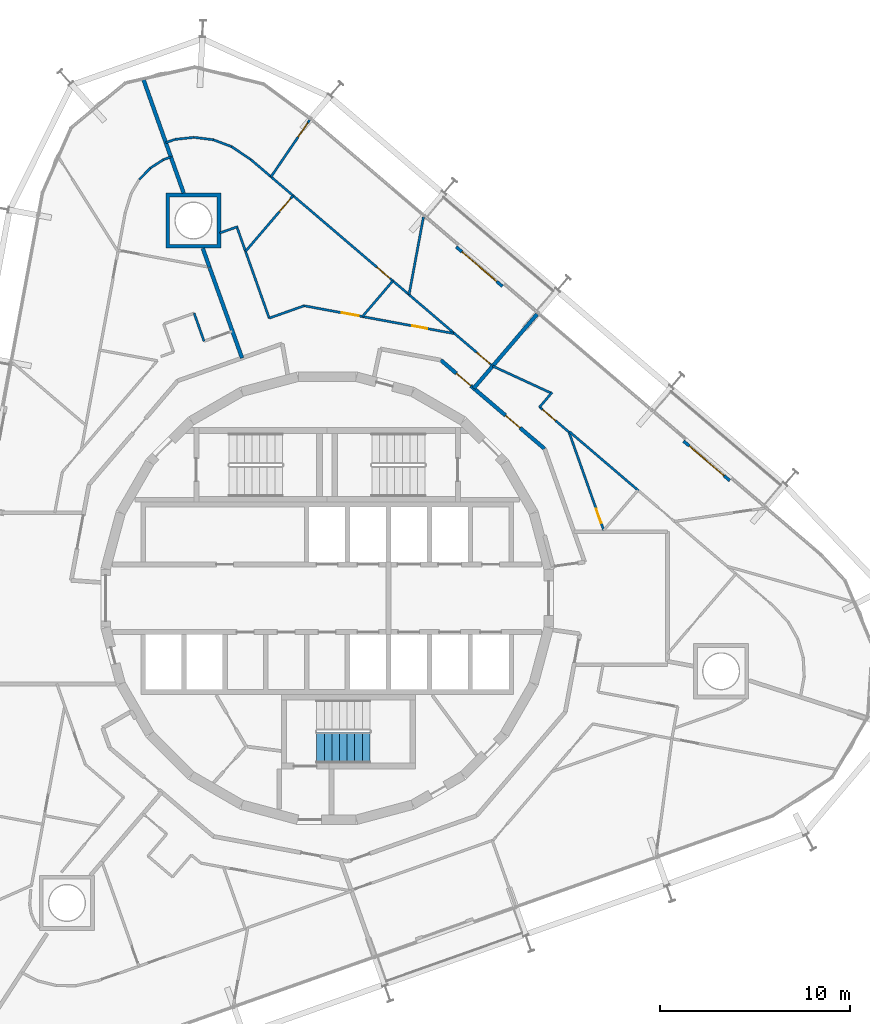
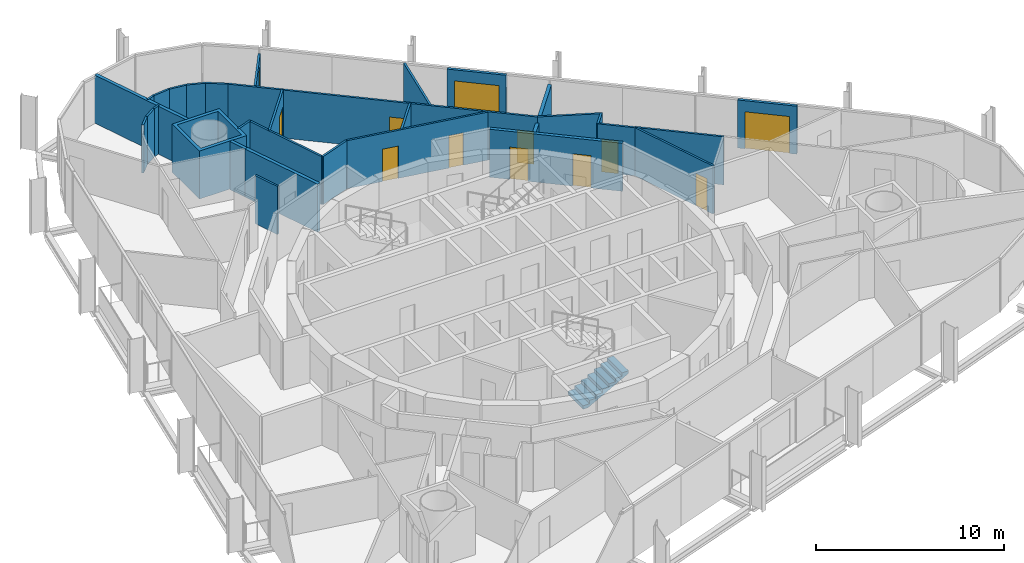
# One storey, part 15 of 17: 32 walls, 12 doors, 1 stair flight, 12 openings, 1 element without a shape of its own.
"""IFC4 building model written with IfcOpenShell, lengths in metres."""

from ifc_helpers import new_model, si_unit, direction, frame, frame_2d, origin, place, context, subcontext, project, spatial, polyline, rectangle, outline, extrude, material, layer, layer_set, type_object, element, fill, aggregate, save


model = new_model("IFC4")

# Units and contexts
model_context = context("Model", 3, precision=1e-05, world=origin(), true_north=direction((0.0, 1.0)))
body_context = subcontext(model_context, "Body", "Model", "MODEL_VIEW")
ifc_project = project(units=[si_unit("LENGTHUNIT", "METRE"), si_unit("AREAUNIT", "SQUARE_METRE"), si_unit("VOLUMEUNIT", "CUBIC_METRE"), si_unit("PLANEANGLEUNIT", "RADIAN"), si_unit("MASSUNIT", "GRAM", prefix="KILO")], contexts=[model_context])

# Site, building, storey
site_placement = place(None, origin())
site = spatial("IfcSite", under=ifc_project, at=site_placement, CompositionType="ELEMENT")
building_placement = place(site_placement, origin())
building = spatial("IfcBuilding", under=site, at=building_placement, Name="Spindle Arch Residences", CompositionType="ELEMENT")
storey_placement = place(building_placement, frame((0.0, 0.0, 155.199951171875)))
storey = spatial("IfcBuildingStorey", under=building, at=storey_placement, Name="L38", CompositionType="ELEMENT", Elevation=155.199951171875)

# Wall, openings, doors
ifc_material_1 = material(Name="Calcium silicate block, plastered")
ifc_layer_1 = layer(ifc_material_1, 0.199951171875)
ifc_layer_set_1 = layer_set([ifc_layer_1], Name="Corridor wall 200")
wall_type_1 = type_object("IfcWallType", Name="Corridor wall 200", PredefinedType="STANDARD", material=ifc_layer_set_1)
wall_1_placement = place(storey_placement, frame((11.432861328125, 7.857666015625, 0.0), z_axis=(0.0, 0.0, 1.0), x_axis=(-0.760412154545, 0.649440801937, 0.0)))
wall_1 = element("IfcWall", 1, at=wall_1_placement, inside=storey, type_object=wall_type_1, Name="Corridor wall R4A1-W004", PredefinedType="STANDARD", context=body_context, shape_type="SweptSolid", body=[
    extrude(rectangle(XDim=7.180908203125, YDim=0.199951171875, at=frame_2d((3.59033203125, 0.0))), origin(), (0.0, 0.0, 1.0), 3.1201171875),
])
opening_1_placement = place(wall_1_placement, frame((1.699951171875, 0.0, 0.0)))
opening_1 = element("IfcOpeningElement", 2, at=opening_1_placement, cuts=wall_1, Name="Opening R4A1-FD01", PredefinedType="OPENING", context=body_context, shape_type="SweptSolid", body=[
    extrude(rectangle(XDim=1.0, YDim=2.10009765625, at=frame_2d((0.5, 1.050048828125))), frame((0.0, 0.10986328125, 0.0), z_axis=(0.0, -1.0, 0.0), x_axis=(1.0, 0.0, 0.0)), (0.0, 0.0, 1.0), 0.219970703125),
])
opening_2_placement = place(wall_1_placement, frame((5.1005859375, 0.0, 0.0)))
opening_2 = element("IfcOpeningElement", 3, at=opening_2_placement, cuts=wall_1, Name="Opening R4A1-FD02", PredefinedType="OPENING", context=body_context, shape_type="SweptSolid", body=[
    extrude(rectangle(XDim=1.0, YDim=2.10009765625, at=frame_2d((0.5, 1.050048828125))), frame((0.0, 0.10986328125, 0.0), z_axis=(0.0, -1.0, 0.0), x_axis=(1.0, 0.0, 0.0)), (0.0, 0.0, 1.0), 0.219970703125),
])
ifc_material_2 = material(Name="Timber, fire-resisting door set", Category="wood")
door_type_1 = type_object("IfcDoorType", Name="Flat entrance door 1000x2100", OperationType="NOTDEFINED", PredefinedType="DOOR", material=ifc_material_2)
door_1_placement = place(opening_1_placement, origin())
door_1 = element("IfcDoor", 4, at=door_1_placement, inside=storey, type_object=door_type_1, Name="Flat entrance door R4A1-FD01", OperationType="SINGLE_SWING_LEFT", OverallHeight=2.10009765625, OverallWidth=1.0, PredefinedType="DOOR", context=body_context, shape_type="SweptSolid", body=[
    extrude(rectangle(XDim=1.0, YDim=2.10009765625, at=frame_2d((0.5, 1.050048828125))), frame((0.0, 0.02490234375, 0.0), z_axis=(0.0, -1.0, 0.0), x_axis=(1.0, 0.0, 0.0)), (0.0, 0.0, 1.0), 0.050048828125),
])
fill(opening_1, door_1)
door_2_placement = place(opening_2_placement, origin())
door_2 = element("IfcDoor", 5, at=door_2_placement, inside=storey, type_object=door_type_1, Name="Flat entrance door R4A1-FD02", OperationType="SINGLE_SWING_RIGHT", OverallHeight=2.10009765625, OverallWidth=1.0, PredefinedType="DOOR", context=body_context, shape_type="SweptSolid", body=[
    extrude(rectangle(XDim=1.0, YDim=2.10009765625, at=frame_2d((0.5, 1.050048828125))), frame((0.0, 0.02490234375, 0.0), z_axis=(0.0, -1.0, 0.0), x_axis=(1.0, 0.0, 0.0)), (0.0, 0.0, 1.0), 0.050048828125),
])
fill(opening_2, door_2)

# Wall, opening, door
ifc_material_3 = material(Name="Plasterboard on steel studs", Category="steel")
ifc_layer_2 = layer(ifc_material_3, 0.1201171875)
ifc_layer_set_2 = layer_set([ifc_layer_2], Name="Flat partition 120")
wall_type_2 = type_object("IfcWallType", Name="Flat partition 120", PredefinedType="PARTITIONING", material=ifc_layer_set_2)
wall_2_placement = place(storey_placement, frame((14.540771484375, 3.57470703125, 0.0), z_axis=(0.0, 0.0, 1.0), x_axis=(-0.333799280318, 0.942644174893, 0.0)))
wall_2 = element("IfcWall", 6, at=wall_2_placement, inside=storey, type_object=wall_type_2, Name="Flat partition R4A1-W039", PredefinedType="PARTITIONING", context=body_context, shape_type="SweptSolid", body=[
    extrude(rectangle(XDim=5.476806640625, YDim=0.1201171875, at=frame_2d((2.73828125, 0.0))), origin(), (0.0, 0.0, 1.0), 3.1201171875),
])
opening_3_placement = place(wall_2_placement, frame((0.39990234375, 0.0, 0.0)))
opening_3 = element("IfcOpeningElement", 7, at=opening_3_placement, cuts=wall_2, Name="Opening R4A1-BD01", PredefinedType="OPENING", context=body_context, shape_type="SweptSolid", body=[
    extrude(rectangle(XDim=0.800048828125, YDim=2.10009765625, at=frame_2d((0.39990234375, 1.050048828125))), frame((0.0, 0.070068359375, 0.0), z_axis=(0.0, -1.0, 0.0), x_axis=(1.0, 0.0, 0.0)), (0.0, 0.0, 1.0), 0.14013671875),
])
ifc_material_4 = material(Name="Timber door set", Category="wood")
door_type_2 = type_object("IfcDoorType", Name="Bathroom door 800x2100", OperationType="NOTDEFINED", PredefinedType="DOOR", material=ifc_material_4)
door_3_placement = place(opening_3_placement, origin())
door_3 = element("IfcDoor", 8, at=door_3_placement, inside=storey, type_object=door_type_2, Name="Bathroom door R4A1-BD01", OperationType="SINGLE_SWING_LEFT", OverallHeight=2.10009765625, OverallWidth=0.800048828125, PredefinedType="DOOR", context=body_context, shape_type="SweptSolid", body=[
    extrude(rectangle(XDim=0.800048828125, YDim=2.10009765625, at=frame_2d((0.39990234375, 1.050048828125))), frame((0.0, 0.02490234375, 0.0), z_axis=(0.0, -1.0, 0.0), x_axis=(1.0, 0.0, 0.0)), (0.0, 0.0, 1.0), 0.050048828125),
])
fill(opening_3, door_3)

wall_3_placement = place(storey_placement, frame((12.712646484375, 8.7373046875, 0.0), z_axis=(0.0, 0.0, 1.0), x_axis=(-0.760410825807, 0.649442357716, 0.0)))
wall_3 = element("IfcWall", 9, at=wall_3_placement, inside=storey, type_object=wall_type_2, Name="Flat partition R4A1-W040", PredefinedType="PARTITIONING", context=body_context, shape_type="SweptSolid", body=[
    extrude(rectangle(XDim=2.028564453125, YDim=0.1201171875, at=frame_2d((1.01416015625, 0.0))), origin(), (0.0, 0.0, 1.0), 3.1201171875),
])
opening_4_placement = place(wall_3_placement, frame((0.9287109375, 0.0, 0.0)))
opening_4 = element("IfcOpeningElement", 10, at=opening_4_placement, cuts=wall_3, Name="Opening R4A1-ID01", PredefinedType="OPENING", context=body_context, shape_type="SweptSolid", body=[
    extrude(rectangle(XDim=0.89990234375, YDim=2.10009765625, at=frame_2d((0.449951171875, 1.050048828125))), frame((0.0, 0.070068359375, 0.0), z_axis=(0.0, -1.0, 0.0), x_axis=(1.0, 0.0, 0.0)), (0.0, 0.0, 1.0), 0.14013671875),
])
ifc_material_5 = material(Name="Timber door set", Category="wood")
door_type_3 = type_object("IfcDoorType", Name="Room door 900x2100", OperationType="NOTDEFINED", PredefinedType="DOOR", material=ifc_material_5)
door_4_placement = place(opening_4_placement, origin())
door_4 = element("IfcDoor", 11, at=door_4_placement, inside=storey, type_object=door_type_3, Name="Room door R4A1-ID01", OperationType="SINGLE_SWING_LEFT", OverallHeight=2.10009765625, OverallWidth=0.89990234375, PredefinedType="DOOR", context=body_context, shape_type="SweptSolid", body=[
    extrude(rectangle(XDim=0.89990234375, YDim=2.10009765625, at=frame_2d((0.449951171875, 1.050048828125))), frame((0.0, 0.02490234375, 0.0), z_axis=(0.0, -1.0, 0.0), x_axis=(1.0, 0.0, 0.0)), (0.0, 0.0, 1.0), 0.050048828125),
])
fill(opening_4, door_4)

# Walls
wall_4_placement = place(storey_placement, frame((12.734130859375, 8.76220703125, 0.0), z_axis=(0.0, 0.0, 1.0), x_axis=(0.760390484255, -0.649466174219, 0.0)))
element("IfcWall", 12, at=wall_4_placement, inside=storey, type_object=wall_type_2, Name="Flat partition R4A1-W041", PredefinedType="PARTITIONING", context=body_context, shape_type="SweptSolid", body=[
    extrude(rectangle(XDim=4.78271484375, YDim=0.1201171875, at=frame_2d((2.391357421875, 0.0))), origin(), (0.0, 0.0, 1.0), 3.1201171875),
])
wall_5_placement = place(storey_placement, frame((11.152587890625, 10.0341796875, 0.0), z_axis=(0.0, 0.0, 1.0), x_axis=(0.649381401329, 0.760462882466, 0.0)))
element("IfcWall", 13, at=wall_5_placement, inside=storey, type_object=wall_type_2, Name="Flat partition R4A1-W042", PredefinedType="PARTITIONING", context=body_context, shape_type="SweptSolid", body=[
    extrude(rectangle(XDim=1.041748046875, YDim=0.1201171875, at=frame_2d((0.52099609375, 0.0))), origin(), (0.0, 0.0, 1.0), 3.1201171875),
])
wall_6_placement = place(storey_placement, frame((11.790283203125, 10.78076171875, 0.0), z_axis=(0.0, 0.0, 1.0), x_axis=(-0.907999296286, 0.418971691101, 0.0)))
element("IfcWall", 14, at=wall_6_placement, inside=storey, type_object=wall_type_2, Name="Flat partition R4A1-W043", PredefinedType="PARTITIONING", context=body_context, shape_type="SweptSolid", body=[
    extrude(rectangle(XDim=3.4013671875, YDim=0.1201171875, at=frame_2d((1.70068359375, 0.0))), origin(), (0.0, 0.0, 1.0), 3.1201171875),
])

# Wall, openings, doors
wall_7_placement = place(storey_placement, frame((8.701904296875, 12.205810546875, 0.0), z_axis=(0.0, 0.0, 1.0), x_axis=(-0.760401313718, 0.649453494945, 0.0)))
wall_7 = element("IfcWall", 15, at=wall_7_placement, inside=storey, type_object=wall_type_2, Name="Flat partition R4A1-W054", PredefinedType="PARTITIONING", context=body_context, shape_type="SweptSolid", body=[
    extrude(rectangle(XDim=16.723876953125, YDim=0.1201171875, at=frame_2d((8.36181640625, 0.0))), origin(), (0.0, 0.0, 1.0), 3.1201171875),
])
opening_5_placement = place(wall_7_placement, frame((0.199951171875, 0.0, 0.0)))
opening_5 = element("IfcOpeningElement", 16, at=opening_5_placement, cuts=wall_7, Name="Opening R4A1-ID06", PredefinedType="OPENING", context=body_context, shape_type="SweptSolid", body=[
    extrude(rectangle(XDim=0.89990234375, YDim=2.10009765625, at=frame_2d((0.449951171875, 1.050048828125))), frame((0.0, 0.070068359375, 0.0), z_axis=(0.0, -1.0, 0.0), x_axis=(1.0, 0.0, 0.0)), (0.0, 0.0, 1.0), 0.14013671875),
])
opening_6_placement = place(wall_7_placement, frame((7.09912109375, 0.0, 0.0)))
opening_6 = element("IfcOpeningElement", 17, at=opening_6_placement, cuts=wall_7, Name="Opening R4A1-ID08", PredefinedType="OPENING", context=body_context, shape_type="SweptSolid", body=[
    extrude(rectangle(XDim=0.89990234375, YDim=2.10009765625, at=frame_2d((0.449951171875, 1.050048828125))), frame((0.0, 0.070068359375, 0.0), z_axis=(0.0, -1.0, 0.0), x_axis=(1.0, 0.0, 0.0)), (0.0, 0.0, 1.0), 0.14013671875),
])
door_5_placement = place(opening_5_placement, origin())
door_5 = element("IfcDoor", 18, at=door_5_placement, inside=storey, type_object=door_type_3, Name="Room door R4A1-ID06", OperationType="SINGLE_SWING_RIGHT", OverallHeight=2.10009765625, OverallWidth=0.89990234375, PredefinedType="DOOR", context=body_context, shape_type="SweptSolid", body=[
    extrude(rectangle(XDim=0.89990234375, YDim=2.10009765625, at=frame_2d((0.449951171875, 1.050048828125))), frame((0.0, 0.02490234375, 0.0), z_axis=(0.0, -1.0, 0.0), x_axis=(1.0, 0.0, 0.0)), (0.0, 0.0, 1.0), 0.050048828125),
])
fill(opening_5, door_5)
door_6_placement = place(opening_6_placement, origin())
door_6 = element("IfcDoor", 19, at=door_6_placement, inside=storey, type_object=door_type_3, Name="Room door R4A1-ID08", OperationType="SINGLE_SWING_RIGHT", OverallHeight=2.10009765625, OverallWidth=0.89990234375, PredefinedType="DOOR", context=body_context, shape_type="SweptSolid", body=[
    extrude(rectangle(XDim=0.89990234375, YDim=2.10009765625, at=frame_2d((0.449951171875, 1.050048828125))), frame((0.0, 0.02490234375, 0.0), z_axis=(0.0, -1.0, 0.0), x_axis=(1.0, 0.0, 0.0)), (0.0, 0.0, 1.0), 0.050048828125),
])
fill(opening_6, door_6)

wall_8_placement = place(storey_placement, frame((6.640869140625, 13.9228515625, 0.0), z_axis=(0.0, 0.0, 1.0), x_axis=(-0.983250157272, 0.182261153912, 0.0)))
wall_8 = element("IfcWall", 20, at=wall_8_placement, inside=storey, type_object=wall_type_2, Name="Flat partition R4A1-W055", PredefinedType="PARTITIONING", context=body_context, shape_type="SweptSolid", body=[
    extrude(rectangle(XDim=7.98486328125, YDim=0.1201171875, at=frame_2d((3.992431640625, 0.0))), origin(), (0.0, 0.0, 1.0), 3.1201171875),
])
opening_7_placement = place(wall_8_placement, frame((1.39990234375, 0.0, 0.0)))
opening_7 = element("IfcOpeningElement", 21, at=opening_7_placement, cuts=wall_8, Name="Opening R4A1-BD02", PredefinedType="OPENING", context=body_context, shape_type="SweptSolid", body=[
    extrude(rectangle(XDim=0.800048828125, YDim=2.10009765625, at=frame_2d((0.39990234375, 1.050048828125))), frame((0.0, 0.070068359375, 0.0), z_axis=(0.0, -1.0, 0.0), x_axis=(1.0, 0.0, 0.0)), (0.0, 0.0, 1.0), 0.14013671875),
])
opening_8_placement = place(wall_8_placement, frame((5.06884765625, 0.0, 0.0)))
opening_8 = element("IfcOpeningElement", 22, at=opening_8_placement, cuts=wall_8, Name="Opening R4A1-ID07", PredefinedType="OPENING", context=body_context, shape_type="SweptSolid", body=[
    extrude(rectangle(XDim=0.89990234375, YDim=2.10009765625, at=frame_2d((0.449951171875, 1.050048828125))), frame((0.0, 0.070068359375, 0.0), z_axis=(0.0, -1.0, 0.0), x_axis=(1.0, 0.0, 0.0)), (0.0, 0.0, 1.0), 0.14013671875),
])
door_7_placement = place(opening_7_placement, origin())
door_7 = element("IfcDoor", 23, at=door_7_placement, inside=storey, type_object=door_type_2, Name="Bathroom door R4A1-BD02", OperationType="SINGLE_SWING_RIGHT", OverallHeight=2.10009765625, OverallWidth=0.800048828125, PredefinedType="DOOR", context=body_context, shape_type="SweptSolid", body=[
    extrude(rectangle(XDim=0.800048828125, YDim=2.10009765625, at=frame_2d((0.39990234375, 1.050048828125))), frame((0.0, 0.02490234375, 0.0), z_axis=(0.0, -1.0, 0.0), x_axis=(1.0, 0.0, 0.0)), (0.0, 0.0, 1.0), 0.050048828125),
])
fill(opening_7, door_7)
door_8_placement = place(opening_8_placement, origin())
door_8 = element("IfcDoor", 24, at=door_8_placement, inside=storey, type_object=door_type_3, Name="Room door R4A1-ID07", OperationType="SINGLE_SWING_RIGHT", OverallHeight=2.10009765625, OverallWidth=0.89990234375, PredefinedType="DOOR", context=body_context, shape_type="SweptSolid", body=[
    extrude(rectangle(XDim=0.89990234375, YDim=2.10009765625, at=frame_2d((0.449951171875, 1.050048828125))), frame((0.0, 0.02490234375, 0.0), z_axis=(0.0, -1.0, 0.0), x_axis=(1.0, 0.0, 0.0)), (0.0, 0.0, 1.0), 0.050048828125),
])
fill(opening_8, door_8)

# Walls
wall_9_placement = place(storey_placement, frame((-1.210205078125, 15.378173828125, 0.0), z_axis=(0.0, 0.0, 1.0), x_axis=(-0.942633792474, -0.333828598663, 0.0)))
element("IfcWall", 25, at=wall_9_placement, inside=storey, type_object=wall_type_2, Name="Flat partition R4A1-W056", PredefinedType="PARTITIONING", context=body_context, shape_type="SweptSolid", body=[
    extrude(rectangle(XDim=1.94970703125, YDim=0.1201171875, at=frame_2d((0.974853515625, 0.0))), origin(), (0.0, 0.0, 1.0), 3.1201171875),
])
wall_10_placement = place(storey_placement, frame((-3.048095703125, 14.727294921875, 0.0), z_axis=(0.0, 0.0, 1.0), x_axis=(-0.333811603187, 0.942639811157, 0.0)))
element("IfcWall", 26, at=wall_10_placement, inside=storey, type_object=wall_type_2, Name="Flat partition R4A1-W057", PredefinedType="PARTITIONING", context=body_context, shape_type="SweptSolid", body=[
    extrude(rectangle(XDim=5.086669921875, YDim=0.1201171875, at=frame_2d((2.54345703125, 0.0))), origin(), (0.0, 0.0, 1.0), 3.1201171875),
])
wall_11_placement = place(storey_placement, frame((-4.689453125, 19.5419921875, 0.0), z_axis=(0.0, 0.0, 1.0), x_axis=(-0.942661851862, -0.33374935662, 0.0)))
element("IfcWall", 27, at=wall_11_placement, inside=storey, type_object=wall_type_2, Name="Flat partition R4A1-W058", PredefinedType="PARTITIONING", context=body_context, shape_type="SweptSolid", body=[
    extrude(rectangle(XDim=1.016845703125, YDim=0.1201171875, at=frame_2d((0.50830078125, 0.0))), origin(), (0.0, 0.0, 1.0), 3.1201171875),
])
wall_12_placement = place(storey_placement, frame((5.063232421875, 20.048095703125, 0.0), z_axis=(0.0, 0.0, 1.0), x_axis=(-0.182238575099, -0.983254342348, 0.0)))
element("IfcWall", 28, at=wall_12_placement, inside=storey, type_object=wall_type_2, Name="Flat partition R4A1-W059", PredefinedType="PARTITIONING", context=body_context, shape_type="SweptSolid", body=[
    extrude(rectangle(XDim=4.156982421875, YDim=0.1201171875, at=frame_2d((2.07861328125, 0.0))), origin(), (0.0, 0.0, 1.0), 3.1201171875),
])
wall_13_placement = place(storey_placement, frame((3.455810546875, 16.686279296875, 0.0), z_axis=(0.0, 0.0, 1.0), x_axis=(-0.649462010463, -0.760394040591, 0.0)))
element("IfcWall", 29, at=wall_13_placement, inside=storey, type_object=wall_type_2, Name="Flat partition R4A1-W060", PredefinedType="PARTITIONING", context=body_context, shape_type="SweptSolid", body=[
    extrude(rectangle(XDim=2.467041015625, YDim=0.1201171875, at=frame_2d((1.2333984375, 0.0))), origin(), (0.0, 0.0, 1.0), 3.1201171875),
])

# Wall, opening, door
wall_14_placement = place(storey_placement, frame((-1.790283203125, 21.1669921875, 0.0), z_axis=(0.0, 0.0, 1.0), x_axis=(-0.649427819186, -0.760423242456, 0.0)))
wall_14 = element("IfcWall", 30, at=wall_14_placement, inside=storey, type_object=wall_type_2, Name="Flat partition R4A1-W062", PredefinedType="PARTITIONING", context=body_context, shape_type="SweptSolid", body=[
    extrude(rectangle(XDim=3.851318359375, YDim=0.1201171875, at=frame_2d((1.92578125, 0.0))), origin(), (0.0, 0.0, 1.0), 3.1201171875),
])
opening_9_placement = place(wall_14_placement, frame((0.199951171875, 0.0, 0.0)))
opening_9 = element("IfcOpeningElement", 31, at=opening_9_placement, cuts=wall_14, Name="Opening R4A1-ID09", PredefinedType="OPENING", context=body_context, shape_type="SweptSolid", body=[
    extrude(rectangle(XDim=0.89990234375, YDim=2.10009765625, at=frame_2d((0.449951171875, 1.050048828125))), frame((0.0, 0.070068359375, 0.0), z_axis=(0.0, -1.0, 0.0), x_axis=(1.0, 0.0, 0.0)), (0.0, 0.0, 1.0), 0.14013671875),
])
door_9_placement = place(opening_9_placement, origin())
door_9 = element("IfcDoor", 32, at=door_9_placement, inside=storey, type_object=door_type_3, Name="Room door R4A1-ID09", OperationType="SINGLE_SWING_RIGHT", OverallHeight=2.10009765625, OverallWidth=0.89990234375, PredefinedType="DOOR", context=body_context, shape_type="SweptSolid", body=[
    extrude(rectangle(XDim=0.89990234375, YDim=2.10009765625, at=frame_2d((0.449951171875, 1.050048828125))), frame((0.0, 0.02490234375, 0.0), z_axis=(0.0, -1.0, 0.0), x_axis=(1.0, 0.0, 0.0)), (0.0, 0.0, 1.0), 0.050048828125),
])
fill(opening_9, door_9)

# Walls
wall_15_placement = place(storey_placement, frame((-8.482666015625, 23.9541015625, 0.0), z_axis=(0.0, 0.0, 1.0), x_axis=(0.942554725445, 0.334051776738, 0.0)))
element("IfcWall", 33, at=wall_15_placement, inside=storey, type_object=wall_type_2, Name="Flat partition R4A1-W063", PredefinedType="PARTITIONING", context=body_context, shape_type="SweptSolid", body=[
    extrude(rectangle(XDim=0.508056640625, YDim=0.1201171875, at=frame_2d((0.25390625, 0.0))), origin(), (0.0, 0.0, 1.0), 3.1201171875),
])
wall_16_placement = place(storey_placement, frame((-8.00390625, 24.123779296875, 0.0), z_axis=(0.0, 0.0, 1.0), x_axis=(0.994216064839, 0.107398400431, 0.0)))
element("IfcWall", 34, at=wall_16_placement, inside=storey, type_object=wall_type_2, Name="Flat partition R4A1-W064", PredefinedType="PARTITIONING", context=body_context, shape_type="SweptSolid", body=[
    extrude(rectangle(XDim=1.01611328125, YDim=0.1201171875, at=frame_2d((0.508056640625, 0.0))), origin(), (0.0, 0.0, 1.0), 3.1201171875),
])
wall_17_placement = place(storey_placement, frame((-6.99365234375, 24.23291015625, 0.0), z_axis=(0.0, 0.0, 1.0), x_axis=(0.992188875952, -0.124744676991, 0.0)))
element("IfcWall", 35, at=wall_17_placement, inside=storey, type_object=wall_type_2, Name="Flat partition R4A1-W065", PredefinedType="PARTITIONING", context=body_context, shape_type="SweptSolid", body=[
    extrude(rectangle(XDim=1.015625, YDim=0.1201171875, at=frame_2d((0.5078125, 0.0))), origin(), (0.0, 0.0, 1.0), 3.1201171875),
])
wall_18_placement = place(storey_placement, frame((-5.98583984375, 24.106201171875, 0.0), z_axis=(0.0, 0.0, 1.0), x_axis=(0.936625084254, -0.350333343469, 0.0)))
element("IfcWall", 36, at=wall_18_placement, inside=storey, type_object=wall_type_2, Name="Flat partition R4A1-W066", PredefinedType="PARTITIONING", context=body_context, shape_type="SweptSolid", body=[
    extrude(rectangle(XDim=1.01611328125, YDim=0.1201171875, at=frame_2d((0.508056640625, 0.0))), origin(), (0.0, 0.0, 1.0), 3.1201171875),
])
wall_19_placement = place(storey_placement, frame((-5.0341796875, 23.750244140625, 0.0), z_axis=(0.0, 0.0, 1.0), x_axis=(0.83070096574, -0.556718874764, 0.0)))
element("IfcWall", 37, at=wall_19_placement, inside=storey, type_object=wall_type_2, Name="Flat partition R4A1-W067", PredefinedType="PARTITIONING", context=body_context, shape_type="SweptSolid", body=[
    extrude(rectangle(XDim=1.22705078125, YDim=0.1201171875, at=frame_2d((0.613525390625, 0.0))), origin(), (0.0, 0.0, 1.0), 3.1201171875),
])
wall_20_placement = place(storey_placement, frame((-6.47216796875, 13.514892578125, 0.0), z_axis=(0.0, 0.0, 1.0), x_axis=(-0.333809516424, 0.942640550127, 0.0)))
element("IfcWall", 38, at=wall_20_placement, inside=storey, type_object=wall_type_2, Name="Flat partition R4A1-W069", PredefinedType="PARTITIONING", context=body_context, shape_type="SweptSolid", body=[
    extrude(rectangle(XDim=1.5615234375, YDim=0.1201171875, at=frame_2d((0.78076171875, 0.0))), origin(), (0.0, 0.0, 1.0), 3.1201171875),
])
wall_21_placement = place(storey_placement, frame((-8.215576171875, 23.2001953125, 0.0), z_axis=(0.0, 0.0, 1.0), x_axis=(-0.942565413363, -0.33402161836, 0.0)))
element("IfcWall", 39, at=wall_21_placement, inside=storey, type_object=wall_type_2, Name="Flat partition R4A1-W075", PredefinedType="PARTITIONING", context=body_context, shape_type="SweptSolid", body=[
    extrude(rectangle(XDim=0.414306640625, YDim=0.1201171875, at=frame_2d((0.20703125, 0.0))), origin(), (0.0, 0.0, 1.0), 3.1201171875),
])
for number, where, z_axis, x_axis, name in (
    (40, (-8.606201171875, 23.061767578125, 0.0), (0.0, 0.0, 1.0), (-0.840249037985, -0.542200658581, 0.0), "Flat partition R4A1-W076"),
    (41, (-9.302734375, 22.6123046875, 0.0), (0.0, 0.0, 1.0), (-0.692525696474, -0.721393207428, 0.0), "Flat partition R4A1-W077"),
):
    element("IfcWall", number, at=place(storey_placement, frame(where, z_axis=z_axis, x_axis=x_axis)), inside=storey, type_object=wall_type_2, Name=name, PredefinedType="PARTITIONING", context=body_context, shape_type="SweptSolid", body=[
        extrude(rectangle(XDim=0.828857421875, YDim=0.1201171875, at=frame_2d((0.41455078125, 0.0))), origin(), (0.0, 0.0, 1.0), 3.1201171875),
    ])

# Wall, opening, door
ifc_material_6 = material(Name="Plasterboard on steel studs", Category="steel")
ifc_layer_3 = layer(ifc_material_6, 0.1201171875)
ifc_layer_set_3 = layer_set([ifc_layer_3], Name="Flat partition 120 under beam 2730")
wall_type_3 = type_object("IfcWallType", Name="Flat partition 120 under beam 2730", PredefinedType="PARTITIONING", material=ifc_layer_set_3)
wall_22_placement = place(storey_placement, frame((-0.913818359375, 25.152587890625, 0.0), z_axis=(0.0, 0.0, 1.0), x_axis=(-0.56264004133, -0.826701992191, 0.0)))
wall_22 = element("IfcWall", 42, at=wall_22_placement, inside=storey, type_object=wall_type_3, Name="Flat partition R4A1-W061", PredefinedType="PARTITIONING", context=body_context, shape_type="SweptSolid", body=[
    extrude(rectangle(XDim=3.62158203125, YDim=0.1201171875, at=frame_2d((1.810791015625, 0.0))), origin(), (0.0, 0.0, 1.0), 2.72998046875),
])
opening_10_placement = place(wall_22_placement, frame((0.199951171875, 0.0, 0.0)))
opening_10 = element("IfcOpeningElement", 43, at=opening_10_placement, cuts=wall_22, Name="Opening R4A1-ID10", PredefinedType="OPENING", context=body_context, shape_type="SweptSolid", body=[
    extrude(rectangle(XDim=0.89990234375, YDim=2.10009765625, at=frame_2d((0.449951171875, 1.050048828125))), frame((0.0, 0.070068359375, 0.0), z_axis=(0.0, -1.0, 0.0), x_axis=(1.0, 0.0, 0.0)), (0.0, 0.0, 1.0), 0.14013671875),
])
door_10_placement = place(opening_10_placement, origin())
door_10 = element("IfcDoor", 44, at=door_10_placement, inside=storey, type_object=door_type_3, Name="Room door R4A1-ID10", OperationType="SINGLE_SWING_RIGHT", OverallHeight=2.10009765625, OverallWidth=0.89990234375, PredefinedType="DOOR", context=body_context, shape_type="SweptSolid", body=[
    extrude(rectangle(XDim=0.89990234375, YDim=2.10009765625, at=frame_2d((0.449951171875, 1.050048828125))), frame((0.0, 0.02490234375, 0.0), z_axis=(0.0, -1.0, 0.0), x_axis=(1.0, 0.0, 0.0)), (0.0, 0.0, 1.0), 0.050048828125),
])
fill(opening_10, door_10)

# Walls
ifc_material_7 = material(Name="Calcium silicate block, plastered")
ifc_layer_4 = layer(ifc_material_7, 0.199951171875)
ifc_layer_set_4 = layer_set([ifc_layer_4], Name="Flat party wall 200")
wall_type_4 = type_object("IfcWallType", Name="Flat party wall 200", PredefinedType="STANDARD", material=ifc_layer_set_4)
wall_23_placement = place(storey_placement, frame((-6.1845703125, 17.401611328125, 0.0), z_axis=(0.0, 0.0, 1.0), x_axis=(0.337736730281, -0.941240618024, 0.0)))
element("IfcWall", 45, at=wall_23_placement, inside=storey, type_object=wall_type_4, Name="Flat party wall R4A1-W030", PredefinedType="STANDARD", context=body_context, shape_type="SweptSolid", body=[
    extrude(rectangle(XDim=5.068115234375, YDim=0.199951171875, at=frame_2d((2.5341796875, 0.0))), origin(), (0.0, 0.0, 1.0), 3.1201171875),
])
wall_24_placement = place(storey_placement, frame((-6.538818359375, 18.402587890625, 0.0), z_axis=(0.0, 0.0, 1.0), x_axis=(0.333625806098, -0.942705585804, 0.0)))
element("IfcWall", 46, at=wall_24_placement, inside=storey, type_object=wall_type_4, Name="Flat party wall R4A1-W031", PredefinedType="STANDARD", context=body_context, shape_type="SweptSolid", body=[
    extrude(rectangle(XDim=1.061767578125, YDim=0.199951171875, at=frame_2d((0.53076171875, 0.0))), origin(), (0.0, 0.0, 1.0), 3.1201171875),
])
wall_25_placement = place(storey_placement, frame((-9.684326171875, 27.34765625, 0.0), z_axis=(0.0, 0.0, 1.0), x_axis=(0.333818381408, -0.942637410797, 0.0)))
element("IfcWall", 47, at=wall_25_placement, inside=storey, type_object=wall_type_4, Name="Flat party wall R4A1-W032", PredefinedType="STANDARD", context=body_context, shape_type="SweptSolid", body=[
    extrude(rectangle(XDim=4.39990234375, YDim=0.199951171875, at=frame_2d((2.199951171875, 0.0))), origin(), (0.0, 0.0, 1.0), 3.1201171875),
])
wall_26_placement = place(storey_placement, frame((-8.215576171875, 23.2001953125, 0.0), z_axis=(0.0, 0.0, 1.0), x_axis=(0.333793117913, -0.942646357036, 0.0)))
element("IfcWall", 48, at=wall_26_placement, inside=storey, type_object=wall_type_4, Name="Flat party wall R4A1-W033", PredefinedType="STANDARD", context=body_context, shape_type="SweptSolid", body=[
    extrude(rectangle(XDim=2.0078125, YDim=0.199951171875, at=frame_2d((1.00390625, 0.0))), origin(), (0.0, 0.0, 1.0), 3.1201171875),
])
ifc_material_8 = material(Name="Calcium silicate block, plastered")
ifc_layer_5 = layer(ifc_material_8, 0.199951171875)
ifc_layer_set_5 = layer_set([ifc_layer_5], Name="Flat party wall 200 under beam 2730")
wall_type_5 = type_object("IfcWallType", Name="Flat party wall 200 under beam 2730", PredefinedType="STANDARD", material=ifc_layer_set_5)
wall_27_placement = place(storey_placement, frame((11.0400390625, 14.943359375, 0.0), z_axis=(0.0, 0.0, 1.0), x_axis=(-0.649442880087, -0.760410379666, 0.0)))
element("IfcWall", 49, at=wall_27_placement, inside=storey, type_object=wall_type_5, Name="Flat party wall R4A1-W027", PredefinedType="STANDARD", context=body_context, shape_type="SweptSolid", body=[
    extrude(rectangle(XDim=5.1328125, YDim=0.199951171875, at=frame_2d((2.56640625, 0.0))), origin(), (0.0, 0.0, 1.0), 2.72998046875),
])

# Wall, opening, door
ifc_material_9 = material(Name="Non-combustible mineral wool insulated aluminium faced external wall (K0)", Category="aluminium")
ifc_layer_6 = layer(ifc_material_9, 0.159912109375)
ifc_layer_set_6 = layer_set([ifc_layer_6], Name="Insulated external wall panel 160")
wall_type_6 = type_object("IfcWallType", Name="Insulated external wall panel 160", PredefinedType="STANDARD", material=ifc_layer_set_6)
wall_28_placement = place(storey_placement, frame((21.169921875, 6.186279296875, 0.0), z_axis=(0.0, 0.0, 1.0), x_axis=(-0.760359548534, 0.649502391799, 0.0)))
wall_28 = element("IfcWall", 50, at=wall_28_placement, inside=storey, type_object=wall_type_6, Name="External wall L38 bay 6", PredefinedType="STANDARD", context=body_context, shape_type="SweptSolid", body=[
    extrude(rectangle(XDim=3.199951171875, YDim=0.159912109375, at=frame_2d((1.60009765625, 0.0))), origin(), (0.0, 0.0, 1.0), 3.1201171875),
])
opening_11_placement = place(wall_28_placement, frame((0.39990234375, 0.0, 0.0)))
opening_11 = element("IfcOpeningElement", 51, at=opening_11_placement, cuts=wall_28, Name="Opening BD06", PredefinedType="OPENING", context=body_context, shape_type="SweptSolid", body=[
    extrude(rectangle(XDim=2.39990234375, YDim=2.39990234375, at=frame_2d((1.199951171875, 1.199951171875))), frame((0.0, 0.08984375, 0.0), z_axis=(0.0, -1.0, 0.0), x_axis=(1.0, 0.0, 0.0)), (0.0, 0.0, 1.0), 0.179931640625),
])
ifc_material_10 = material(Name="Bronze aluminium frame, tinted double glazing", Category="aluminium")
door_type_4 = type_object("IfcDoorType", Name="Sliding glazed balcony door 2400x2400", OperationType="DOUBLE_DOOR_SLIDING", PredefinedType="DOOR", material=ifc_material_10)
door_11_placement = place(opening_11_placement, origin())
door_11 = element("IfcDoor", 52, at=door_11_placement, inside=storey, type_object=door_type_4, Name="Balcony door BD06", OperationType="DOUBLE_DOOR_SLIDING", OverallHeight=2.39990234375, OverallWidth=2.39990234375, PredefinedType="DOOR", context=body_context, shape_type="SweptSolid", body=[
    extrude(rectangle(XDim=2.39990234375, YDim=2.39990234375, at=frame_2d((1.199951171875, 1.199951171875))), frame((0.0, 0.02490234375, 0.0), z_axis=(0.0, -1.0, 0.0), x_axis=(1.0, 0.0, 0.0)), (0.0, 0.0, 1.0), 0.050048828125),
])
fill(opening_11, door_11)

wall_29_placement = place(storey_placement, frame((9.21630859375, 16.395751953125, 0.0), z_axis=(0.0, 0.0, 1.0), x_axis=(-0.760429407868, 0.649420599957, 0.0)))
wall_29 = element("IfcWall", 53, at=wall_29_placement, inside=storey, type_object=wall_type_6, Name="External wall L38 bay 8", PredefinedType="STANDARD", context=body_context, shape_type="SweptSolid", body=[
    extrude(rectangle(XDim=3.199951171875, YDim=0.159912109375, at=frame_2d((1.60009765625, 0.0))), origin(), (0.0, 0.0, 1.0), 3.1201171875),
])
opening_12_placement = place(wall_29_placement, frame((0.39990234375, 0.0, 0.0)))
opening_12 = element("IfcOpeningElement", 54, at=opening_12_placement, cuts=wall_29, Name="Opening BD08", PredefinedType="OPENING", context=body_context, shape_type="SweptSolid", body=[
    extrude(rectangle(XDim=2.39990234375, YDim=2.39990234375, at=frame_2d((1.199951171875, 1.199951171875))), frame((0.0, 0.08984375, 0.0), z_axis=(0.0, -1.0, 0.0), x_axis=(1.0, 0.0, 0.0)), (0.0, 0.0, 1.0), 0.179931640625),
])
door_12_placement = place(opening_12_placement, origin())
door_12 = element("IfcDoor", 55, at=door_12_placement, inside=storey, type_object=door_type_4, Name="Balcony door BD08", OperationType="DOUBLE_DOOR_SLIDING", OverallHeight=2.39990234375, OverallWidth=2.39990234375, PredefinedType="DOOR", context=body_context, shape_type="SweptSolid", body=[
    extrude(rectangle(XDim=2.39990234375, YDim=2.39990234375, at=frame_2d((1.199951171875, 1.199951171875))), frame((0.0, 0.02490234375, 0.0), z_axis=(0.0, -1.0, 0.0), x_axis=(1.0, 0.0, 0.0)), (0.0, 0.0, 1.0), 0.050048828125),
])
fill(opening_12, door_12)

# Wall
ifc_material_11 = material(Name="Calcium silicate block, plastered")
ifc_layer_7 = layer(ifc_material_11, 0.199951171875)
ifc_layer_set_7 = layer_set([ifc_layer_7], Name="Mega-column casing wall 200")
wall_type_7 = type_object("IfcWallType", Name="Mega-column casing wall 200", PredefinedType="STANDARD", material=ifc_layer_set_7)
wall_30_placement = place(storey_placement, origin())
element("IfcWall", 56, at=wall_30_placement, inside=storey, type_object=wall_type_7, Name="Mega-column casing wall R4A1-WC01", PredefinedType="STANDARD", context=body_context, shape_type="SweptSolid", body=[
    extrude(outline(polyline([(-5.581787109375, 21.3076171875), (-5.581787109375, 18.40771484375), (-8.48193359375, 18.40771484375), (-8.48193359375, 21.3076171875), (-5.581787109375, 21.3076171875)]), holes=[polyline([(-8.281982421875, 18.607666015625), (-5.781982421875, 18.607666015625), (-5.781982421875, 21.107666015625), (-8.281982421875, 21.107666015625), (-8.281982421875, 18.607666015625)])]), origin(), (0.0, 0.0, 1.0), 3.1201171875),
])

# Stair, stair flight
ifc_material_12 = material(Name="Concrete C50/60", Category="concrete")
stair_type = type_object("IfcStairType", Name="Exit stair 16 risers", PredefinedType="HALF_TURN_STAIR", material=ifc_material_12)
stair_placement = place(storey_placement, origin())
stair = element("IfcStair", 57, at=stair_placement, inside=storey, type_object=stair_type, Name="L38 Exit stair ST3", PredefinedType="HALF_TURN_STAIR")
ifc_material_13 = material(Name="Concrete C50/60", Category="concrete")
stair_flight_type = type_object("IfcStairFlightType", Name="Exit stair flight", PredefinedType="STRAIGHT", material=ifc_material_13)
stair_flight_placement = place(storey_placement, frame((-0.550048828125, -7.8701171875, 0.0), z_axis=(0.0, 0.0, 1.0), x_axis=(1.0, 0.0, 0.0)))
stair_flight = element("IfcStairFlight", 58, at=stair_flight_placement, type_object=stair_flight_type, Name="ST3 flight 1", NumberOfRisers=8, NumberOfTreads=7, PredefinedType="STRAIGHT", RiserHeight=0.21875, TreadLength=0.4, context=body_context, shape_type="SweptSolid", body=[
    extrude(outline(polyline([(0.0, 0.0), (0.0, 0.21875), (0.39990234375, 0.21875), (0.39990234375, 0.4375), (0.800048828125, 0.4375), (0.800048828125, 0.65625), (1.199951171875, 0.65625), (1.199951171875, 0.875), (1.60009765625, 0.875), (1.60009765625, 1.09375), (2.0, 1.09375), (2.0, 1.3125), (2.39990234375, 1.3125), (2.39990234375, 1.53125), (2.800048828125, 1.53125), (2.800048828125, 1.75), (2.800048828125, 1.3603515625), (0.3125, 0.0), (0.0, 0.0)])), frame((0.0, 0.800048828125, 0.0), z_axis=(0.0, -1.0, 0.0), x_axis=(1.0, 0.0, 0.0)), (0.0, 0.0, 1.0), 1.60009765625),
])
aggregate(stair, [stair_flight])

save(model, "model.ifc")
